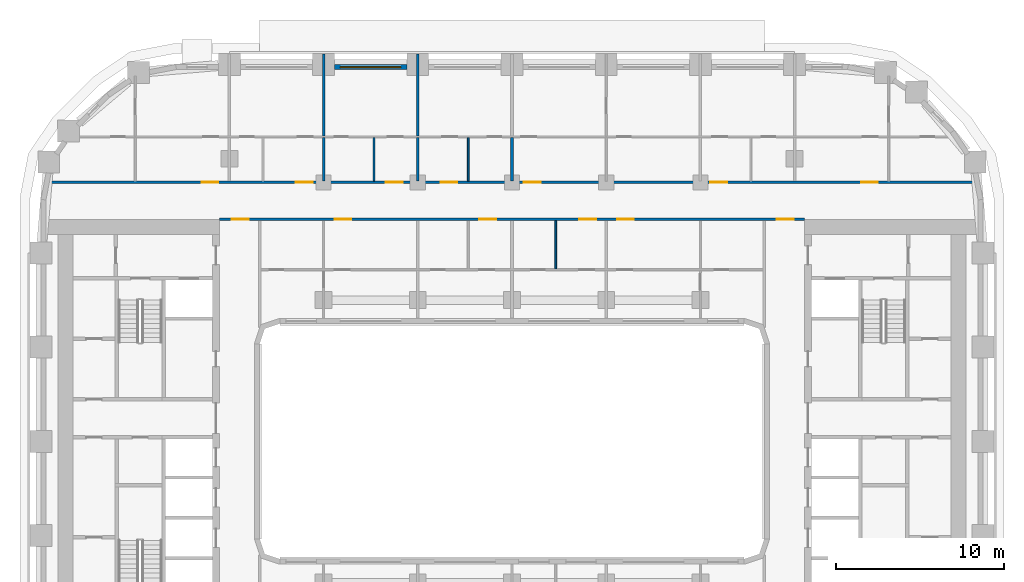
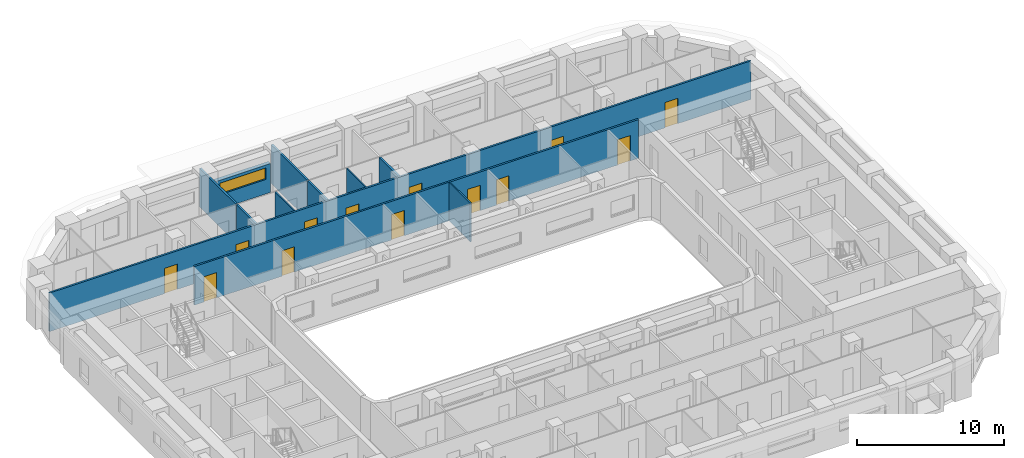
# One storey, part 8 of 22: 13 doors, 11 walls, 1 window, 14 openings.
"""IFC4 building model written with IfcOpenShell, lengths in metres."""

from ifc_helpers import new_model, si_unit, direction, frame, frame_2d, origin, place, context, subcontext, project, spatial, rectangle, extrude, material, layer, layer_set, type_object, element, fill, save


model = new_model("IFC4")

# Units and contexts
model_context = context("Model", 3, precision=1e-05, world=origin(), true_north=direction((0.0, 1.0)))
body_context = subcontext(model_context, "Body", "Model", "MODEL_VIEW")
ifc_project = project(units=[si_unit("LENGTHUNIT", "METRE"), si_unit("AREAUNIT", "SQUARE_METRE"), si_unit("VOLUMEUNIT", "CUBIC_METRE"), si_unit("PLANEANGLEUNIT", "RADIAN"), si_unit("MASSUNIT", "GRAM", prefix="KILO")], contexts=[model_context])

# Site, building, storey
site_placement = place(None, origin())
site = spatial("IfcSite", under=ifc_project, at=site_placement, CompositionType="ELEMENT")
building_placement = place(site_placement, origin())
building = spatial("IfcBuilding", under=site, at=building_placement, Name="Kiln Ring Residences", CompositionType="ELEMENT")
storey_placement = place(building_placement, frame((0.0, 0.0, 97.300048828125)))
storey = spatial("IfcBuildingStorey", under=building, at=storey_placement, Name="L24", CompositionType="ELEMENT", Elevation=97.300048828125)

# Wall, opening, window
ifc_material_1 = material(Name="Brick masonry, dark clay brick", Category="masonry")
ifc_layer_1 = layer(ifc_material_1, 0.300048828125)
ifc_layer_set_1 = layer_set([ifc_layer_1], Name="EW-300 BRICK WALL")
wall_type_1 = type_object("IfcWallType", Name="EW-300 BRICK WALL", PredefinedType="SOLIDWALL", material=ifc_layer_set_1)
wall_1_placement = place(storey_placement, frame((-6.25, 22.25, 0.0), z_axis=(0.0, 0.0, 1.0), x_axis=(-1.0, 0.0, 0.0)))
wall_1 = element("IfcWall", 1, at=wall_1_placement, inside=storey, type_object=wall_type_1, Name="Facade wall L24 33", PredefinedType="SOLIDWALL", context=body_context, shape_type="SweptSolid", body=[
    extrude(rectangle(XDim=4.300048828125, YDim=0.300048828125, at=frame_2d((2.14990234375, 0.0))), origin(), (0.0, 0.0, 1.0), 2.39990234375),
])
opening_1_placement = place(wall_1_placement, frame((0.35009765625, 0.0, 1.199951171875)))
opening_1 = element("IfcOpeningElement", 2, at=opening_1_placement, cuts=wall_1, Name="Opening W4", PredefinedType="OPENING", context=body_context, shape_type="SweptSolid", body=[
    extrude(rectangle(XDim=3.60009765625, YDim=0.949951171875, at=frame_2d((1.800048828125, 0.47509765625))), frame((0.0, 0.159912109375, 0.0), z_axis=(0.0, -1.0, 0.0), x_axis=(1.0, 0.0, 0.0)), (0.0, 0.0, 1.0), 0.320068359375),
])
ifc_material_2 = material(Name="Aluminium frame with double glazing", Category="aluminium")
window_type = type_object("IfcWindowType", Name="WINDOW 3600 x 950", PartitioningType="SINGLE_PANEL", PredefinedType="WINDOW", material=ifc_material_2)
window_placement = place(opening_1_placement, origin())
window = element("IfcWindow", 3, at=window_placement, inside=storey, type_object=window_type, Name="Window L24 18", OverallHeight=0.949951171875, OverallWidth=3.60009765625, PartitioningType="SINGLE_PANEL", PredefinedType="WINDOW", context=body_context, shape_type="SweptSolid", body=[
    extrude(rectangle(XDim=3.60009765625, YDim=0.949951171875, at=frame_2d((1.800048828125, 0.47509765625))), frame((0.0, 0.030029296875, 0.0), z_axis=(0.0, -1.0, 0.0), x_axis=(1.0, 0.0, 0.0)), (0.0, 0.0, 1.0), 0.06005859375),
])
fill(opening_1, window)

# Walls
ifc_material_3 = material(Name="Gypsum board on steel studs", Category="steel")
ifc_layer_2 = layer(ifc_material_3, 0.10009765625)
ifc_layer_set_2 = layer_set([ifc_layer_2], Name="PARTITION-100")
wall_type_2 = type_object("IfcWallType", Name="PARTITION-100", PredefinedType="PARTITIONING", material=ifc_layer_set_2)
for number, where, z_axis, x_axis, name in (
    (4, (-8.199951171875, 15.47509765625, 0.0), (0.0, 0.0, 1.0), (0.0, 1.0, 0.0), "Partition 027"),
    (5, (-2.60009765625, 15.47509765625, 0.0), (0.0, 0.0, 1.0), (0.0, 1.0, 0.0), "Partition 038"),
):
    element("IfcWall", number, at=place(storey_placement, frame(where, z_axis=z_axis, x_axis=x_axis)), inside=storey, type_object=wall_type_2, Name=name, PredefinedType="PARTITIONING", context=body_context, shape_type="SweptSolid", body=[
        extrude(rectangle(XDim=2.574951171875, YDim=0.10009765625, at=frame_2d((1.28759765625, 0.0))), origin(), (0.0, 0.0, 1.0), 3.199951171875),
    ])
wall_2_placement = place(storey_placement, frame((2.60009765625, 10.25, 0.0), z_axis=(0.0, 0.0, 1.0), x_axis=(0.0, 1.0, 0.0)))
element("IfcWall", 6, at=wall_2_placement, inside=storey, type_object=wall_type_2, Name="Partition 049", PredefinedType="PARTITIONING", context=body_context, shape_type="SweptSolid", body=[
    extrude(rectangle(XDim=2.875, YDim=0.10009765625, at=frame_2d((1.4375, 0.0))), origin(), (0.0, 0.0, 1.0), 3.199951171875),
])

# Wall, openings, doors
ifc_material_4 = material(Name="Brick masonry partition", Category="masonry")
ifc_layer_3 = layer(ifc_material_4, 0.14990234375)
ifc_layer_set_3 = layer_set([ifc_layer_3], Name="PARTITION-150-ei60")
wall_type_3 = type_object("IfcWallType", Name="PARTITION-150-ei60", PredefinedType="PARTITIONING", material=ifc_layer_set_3)
wall_3_placement = place(storey_placement, frame((-17.39990234375, 13.199951171875, 0.0), z_axis=(0.0, 0.0, 1.0), x_axis=(1.0, 0.0, 0.0)))
wall_3 = element("IfcWall", 7, at=wall_3_placement, inside=storey, type_object=wall_type_3, Name="Partition 005", PredefinedType="PARTITIONING", context=body_context, shape_type="SweptSolid", body=[
    extrude(rectangle(XDim=34.7998046875, YDim=0.14990234375, at=frame_2d((17.39990234375, 0.0))), origin(), (0.0, 0.0, 1.0), 3.199951171875),
])
opening_2_placement = place(wall_3_placement, frame((0.75, 0.0, 0.0)))
opening_2 = element("IfcOpeningElement", 8, at=opening_2_placement, cuts=wall_3, Name="Opening L24-D001", PredefinedType="OPENING", context=body_context, shape_type="SweptSolid", body=[
    extrude(rectangle(XDim=1.0, YDim=2.10009765625, at=frame_2d((0.5, 1.050048828125))), frame((0.0, 0.0849609375, 0.0), z_axis=(0.0, -1.0, 0.0), x_axis=(1.0, 0.0, 0.0)), (0.0, 0.0, 1.0), 0.169921875),
])
opening_3_placement = place(wall_3_placement, frame((33.14990234375, 0.0, 0.0)))
opening_3 = element("IfcOpeningElement", 9, at=opening_3_placement, cuts=wall_3, Name="Opening L24-D002", PredefinedType="OPENING", context=body_context, shape_type="SweptSolid", body=[
    extrude(rectangle(XDim=1.0, YDim=2.10009765625, at=frame_2d((0.5, 1.050048828125))), frame((0.0, 0.0849609375, 0.0), z_axis=(0.0, -1.0, 0.0), x_axis=(1.0, 0.0, 0.0)), (0.0, 0.0, 1.0), 0.169921875),
])
opening_4_placement = place(wall_3_placement, frame((6.85009765625, 0.0, 0.0)))
opening_4 = element("IfcOpeningElement", 10, at=opening_4_placement, cuts=wall_3, Name="Opening L24-D005", PredefinedType="OPENING", context=body_context, shape_type="SweptSolid", body=[
    extrude(rectangle(XDim=1.0, YDim=2.10009765625, at=frame_2d((0.5, 1.050048828125))), frame((0.0, 0.0849609375, 0.0), z_axis=(0.0, -1.0, 0.0), x_axis=(1.0, 0.0, 0.0)), (0.0, 0.0, 1.0), 0.169921875),
])
opening_5_placement = place(wall_3_placement, frame((15.449951171875, 0.0, 0.0)))
opening_5 = element("IfcOpeningElement", 11, at=opening_5_placement, cuts=wall_3, Name="Opening L24-D009", PredefinedType="OPENING", context=body_context, shape_type="SweptSolid", body=[
    extrude(rectangle(XDim=1.0, YDim=2.10009765625, at=frame_2d((0.5, 1.050048828125))), frame((0.0, 0.0849609375, 0.0), z_axis=(0.0, -1.0, 0.0), x_axis=(1.0, 0.0, 0.0)), (0.0, 0.0, 1.0), 0.169921875),
])
opening_6_placement = place(wall_3_placement, frame((21.39990234375, 0.0, 0.0)))
opening_6 = element("IfcOpeningElement", 12, at=opening_6_placement, cuts=wall_3, Name="Opening L24-D012", PredefinedType="OPENING", context=body_context, shape_type="SweptSolid", body=[
    extrude(rectangle(XDim=1.0, YDim=2.10009765625, at=frame_2d((0.5, 1.050048828125))), frame((0.0, 0.0849609375, 0.0), z_axis=(0.0, -1.0, 0.0), x_axis=(1.0, 0.0, 0.0)), (0.0, 0.0, 1.0), 0.169921875),
])
opening_7_placement = place(wall_3_placement, frame((23.64990234375, 0.0, 0.0)))
opening_7 = element("IfcOpeningElement", 13, at=opening_7_placement, cuts=wall_3, Name="Opening L24-D015", PredefinedType="OPENING", context=body_context, shape_type="SweptSolid", body=[
    extrude(rectangle(XDim=1.0, YDim=2.10009765625, at=frame_2d((0.5, 1.050048828125))), frame((0.0, 0.0849609375, 0.0), z_axis=(0.0, -1.0, 0.0), x_axis=(1.0, 0.0, 0.0)), (0.0, 0.0, 1.0), 0.169921875),
])
ifc_material_5 = material(Name="Steel faced fire door leaf", Category="steel")
door_type = type_object("IfcDoorType", Name="FLAT-DOOR-1000-FR", OperationType="SINGLE_SWING_LEFT", PredefinedType="DOOR", material=ifc_material_5)
door_1_placement = place(opening_2_placement, origin())
door_1 = element("IfcDoor", 14, at=door_1_placement, inside=storey, type_object=door_type, Name="Door L24-D001", OperationType="SINGLE_SWING_RIGHT", OverallHeight=2.10009765625, OverallWidth=1.0, PredefinedType="DOOR", context=body_context, shape_type="SweptSolid", body=[
    extrude(rectangle(XDim=1.0, YDim=2.10009765625, at=frame_2d((0.5, 1.050048828125))), frame((0.0, 0.02490234375, 0.0), z_axis=(0.0, -1.0, 0.0), x_axis=(1.0, 0.0, 0.0)), (0.0, 0.0, 1.0), 0.050048828125),
])
fill(opening_2, door_1)
door_2_placement = place(opening_3_placement, origin())
door_2 = element("IfcDoor", 15, at=door_2_placement, inside=storey, type_object=door_type, Name="Door L24-D002", OperationType="SINGLE_SWING_LEFT", OverallHeight=2.10009765625, OverallWidth=1.0, PredefinedType="DOOR", context=body_context, shape_type="SweptSolid", body=[
    extrude(rectangle(XDim=1.0, YDim=2.10009765625, at=frame_2d((0.5, 1.050048828125))), frame((0.0, 0.02490234375, 0.0), z_axis=(0.0, -1.0, 0.0), x_axis=(1.0, 0.0, 0.0)), (0.0, 0.0, 1.0), 0.050048828125),
])
fill(opening_3, door_2)
door_3_placement = place(opening_4_placement, origin())
door_3 = element("IfcDoor", 16, at=door_3_placement, inside=storey, type_object=door_type, Name="Door L24-D005", OperationType="SINGLE_SWING_LEFT", OverallHeight=2.10009765625, OverallWidth=1.0, PredefinedType="DOOR", context=body_context, shape_type="SweptSolid", body=[
    extrude(rectangle(XDim=1.0, YDim=2.10009765625, at=frame_2d((0.5, 1.050048828125))), frame((0.0, 0.02490234375, 0.0), z_axis=(0.0, -1.0, 0.0), x_axis=(1.0, 0.0, 0.0)), (0.0, 0.0, 1.0), 0.050048828125),
])
fill(opening_4, door_3)
door_4_placement = place(opening_5_placement, origin())
door_4 = element("IfcDoor", 17, at=door_4_placement, inside=storey, type_object=door_type, Name="Door L24-D009", OperationType="SINGLE_SWING_LEFT", OverallHeight=2.10009765625, OverallWidth=1.0, PredefinedType="DOOR", context=body_context, shape_type="SweptSolid", body=[
    extrude(rectangle(XDim=1.0, YDim=2.10009765625, at=frame_2d((0.5, 1.050048828125))), frame((0.0, 0.02490234375, 0.0), z_axis=(0.0, -1.0, 0.0), x_axis=(1.0, 0.0, 0.0)), (0.0, 0.0, 1.0), 0.050048828125),
])
fill(opening_5, door_4)
door_5_placement = place(opening_6_placement, origin())
door_5 = element("IfcDoor", 18, at=door_5_placement, inside=storey, type_object=door_type, Name="Door L24-D012", OperationType="SINGLE_SWING_RIGHT", OverallHeight=2.10009765625, OverallWidth=1.0, PredefinedType="DOOR", context=body_context, shape_type="SweptSolid", body=[
    extrude(rectangle(XDim=1.0, YDim=2.10009765625, at=frame_2d((0.5, 1.050048828125))), frame((0.0, 0.02490234375, 0.0), z_axis=(0.0, -1.0, 0.0), x_axis=(1.0, 0.0, 0.0)), (0.0, 0.0, 1.0), 0.050048828125),
])
fill(opening_6, door_5)
door_6_placement = place(opening_7_placement, origin())
door_6 = element("IfcDoor", 19, at=door_6_placement, inside=storey, type_object=door_type, Name="Door L24-D015", OperationType="SINGLE_SWING_LEFT", OverallHeight=2.10009765625, OverallWidth=1.0, PredefinedType="DOOR", context=body_context, shape_type="SweptSolid", body=[
    extrude(rectangle(XDim=1.0, YDim=2.10009765625, at=frame_2d((0.5, 1.050048828125))), frame((0.0, 0.02490234375, 0.0), z_axis=(0.0, -1.0, 0.0), x_axis=(1.0, 0.0, 0.0)), (0.0, 0.0, 1.0), 0.050048828125),
])
fill(opening_7, door_6)

wall_4_placement = place(storey_placement, frame((-27.48388671875, 15.39990234375, 0.0), z_axis=(0.0, 0.0, 1.0), x_axis=(1.0, 0.0, 0.0)))
wall_4 = element("IfcWall", 20, at=wall_4_placement, inside=storey, type_object=wall_type_3, Name="Partition 006", PredefinedType="PARTITIONING", context=body_context, shape_type="SweptSolid", body=[
    extrude(rectangle(XDim=54.9677734375, YDim=0.14990234375, at=frame_2d((27.48388671875, 0.0))), origin(), (0.0, 0.0, 1.0), 3.199951171875),
])
opening_8_placement = place(wall_4_placement, frame((9.03369140625, 0.0, 0.0)))
opening_8 = element("IfcOpeningElement", 21, at=opening_8_placement, cuts=wall_4, Name="Opening L24-D019", PredefinedType="OPENING", context=body_context, shape_type="SweptSolid", body=[
    extrude(rectangle(XDim=1.0, YDim=2.10009765625, at=frame_2d((0.5, 1.050048828125))), frame((0.0, 0.0849609375, 0.0), z_axis=(0.0, -1.0, 0.0), x_axis=(1.0, 0.0, 0.0)), (0.0, 0.0, 1.0), 0.169921875),
])
opening_9_placement = place(wall_4_placement, frame((14.6337890625, 0.0, 0.0)))
opening_9 = element("IfcOpeningElement", 22, at=opening_9_placement, cuts=wall_4, Name="Opening L24-D023", PredefinedType="OPENING", context=body_context, shape_type="SweptSolid", body=[
    extrude(rectangle(XDim=1.0, YDim=2.10009765625, at=frame_2d((0.5, 1.050048828125))), frame((0.0, 0.0849609375, 0.0), z_axis=(0.0, -1.0, 0.0), x_axis=(1.0, 0.0, 0.0)), (0.0, 0.0, 1.0), 0.169921875),
])
opening_10_placement = place(wall_4_placement, frame((19.98388671875, 0.0, 0.0)))
opening_10 = element("IfcOpeningElement", 23, at=opening_10_placement, cuts=wall_4, Name="Opening L24-D026", PredefinedType="OPENING", context=body_context, shape_type="SweptSolid", body=[
    extrude(rectangle(XDim=1.0, YDim=2.10009765625, at=frame_2d((0.5, 1.050048828125))), frame((0.0, 0.0849609375, 0.0), z_axis=(0.0, -1.0, 0.0), x_axis=(1.0, 0.0, 0.0)), (0.0, 0.0, 1.0), 0.169921875),
])
opening_11_placement = place(wall_4_placement, frame((23.23388671875, 0.0, 0.0)))
opening_11 = element("IfcOpeningElement", 24, at=opening_11_placement, cuts=wall_4, Name="Opening L24-D029", PredefinedType="OPENING", context=body_context, shape_type="SweptSolid", body=[
    extrude(rectangle(XDim=1.0, YDim=2.10009765625, at=frame_2d((0.5, 1.050048828125))), frame((0.0, 0.0849609375, 0.0), z_axis=(0.0, -1.0, 0.0), x_axis=(1.0, 0.0, 0.0)), (0.0, 0.0, 1.0), 0.169921875),
])
opening_12_placement = place(wall_4_placement, frame((28.183837890625, 0.0, 0.0)))
opening_12 = element("IfcOpeningElement", 25, at=opening_12_placement, cuts=wall_4, Name="Opening L24-D032", PredefinedType="OPENING", context=body_context, shape_type="SweptSolid", body=[
    extrude(rectangle(XDim=1.0, YDim=2.10009765625, at=frame_2d((0.5, 1.050048828125))), frame((0.0, 0.0849609375, 0.0), z_axis=(0.0, -1.0, 0.0), x_axis=(1.0, 0.0, 0.0)), (0.0, 0.0, 1.0), 0.169921875),
])
opening_13_placement = place(wall_4_placement, frame((39.28369140625, 0.0, 0.0)))
opening_13 = element("IfcOpeningElement", 26, at=opening_13_placement, cuts=wall_4, Name="Opening L24-D036", PredefinedType="OPENING", context=body_context, shape_type="SweptSolid", body=[
    extrude(rectangle(XDim=1.0, YDim=2.10009765625, at=frame_2d((0.5, 1.050048828125))), frame((0.0, 0.0849609375, 0.0), z_axis=(0.0, -1.0, 0.0), x_axis=(1.0, 0.0, 0.0)), (0.0, 0.0, 1.0), 0.169921875),
])
opening_14_placement = place(wall_4_placement, frame((48.23388671875, 0.0, 0.0)))
opening_14 = element("IfcOpeningElement", 27, at=opening_14_placement, cuts=wall_4, Name="Opening L24-D039", PredefinedType="OPENING", context=body_context, shape_type="SweptSolid", body=[
    extrude(rectangle(XDim=1.0, YDim=2.10009765625, at=frame_2d((0.5, 1.050048828125))), frame((0.0, 0.0849609375, 0.0), z_axis=(0.0, -1.0, 0.0), x_axis=(1.0, 0.0, 0.0)), (0.0, 0.0, 1.0), 0.169921875),
])
door_7_placement = place(opening_8_placement, origin())
door_7 = element("IfcDoor", 28, at=door_7_placement, inside=storey, type_object=door_type, Name="Door L24-D019", OperationType="SINGLE_SWING_LEFT", OverallHeight=2.10009765625, OverallWidth=1.0, PredefinedType="DOOR", context=body_context, shape_type="SweptSolid", body=[
    extrude(rectangle(XDim=1.0, YDim=2.10009765625, at=frame_2d((0.5, 1.050048828125))), frame((0.0, 0.02490234375, 0.0), z_axis=(0.0, -1.0, 0.0), x_axis=(1.0, 0.0, 0.0)), (0.0, 0.0, 1.0), 0.050048828125),
])
fill(opening_8, door_7)
door_8_placement = place(opening_9_placement, origin())
door_8 = element("IfcDoor", 29, at=door_8_placement, inside=storey, type_object=door_type, Name="Door L24-D023", OperationType="SINGLE_SWING_LEFT", OverallHeight=2.10009765625, OverallWidth=1.0, PredefinedType="DOOR", context=body_context, shape_type="SweptSolid", body=[
    extrude(rectangle(XDim=1.0, YDim=2.10009765625, at=frame_2d((0.5, 1.050048828125))), frame((0.0, 0.02490234375, 0.0), z_axis=(0.0, -1.0, 0.0), x_axis=(1.0, 0.0, 0.0)), (0.0, 0.0, 1.0), 0.050048828125),
])
fill(opening_9, door_8)
door_9_placement = place(opening_10_placement, origin())
door_9 = element("IfcDoor", 30, at=door_9_placement, inside=storey, type_object=door_type, Name="Door L24-D026", OperationType="SINGLE_SWING_RIGHT", OverallHeight=2.10009765625, OverallWidth=1.0, PredefinedType="DOOR", context=body_context, shape_type="SweptSolid", body=[
    extrude(rectangle(XDim=1.0, YDim=2.10009765625, at=frame_2d((0.5, 1.050048828125))), frame((0.0, 0.02490234375, 0.0), z_axis=(0.0, -1.0, 0.0), x_axis=(1.0, 0.0, 0.0)), (0.0, 0.0, 1.0), 0.050048828125),
])
fill(opening_10, door_9)
door_10_placement = place(opening_11_placement, origin())
door_10 = element("IfcDoor", 31, at=door_10_placement, inside=storey, type_object=door_type, Name="Door L24-D029", OperationType="SINGLE_SWING_LEFT", OverallHeight=2.10009765625, OverallWidth=1.0, PredefinedType="DOOR", context=body_context, shape_type="SweptSolid", body=[
    extrude(rectangle(XDim=1.0, YDim=2.10009765625, at=frame_2d((0.5, 1.050048828125))), frame((0.0, 0.02490234375, 0.0), z_axis=(0.0, -1.0, 0.0), x_axis=(1.0, 0.0, 0.0)), (0.0, 0.0, 1.0), 0.050048828125),
])
fill(opening_11, door_10)
door_11_placement = place(opening_12_placement, origin())
door_11 = element("IfcDoor", 32, at=door_11_placement, inside=storey, type_object=door_type, Name="Door L24-D032", OperationType="SINGLE_SWING_RIGHT", OverallHeight=2.10009765625, OverallWidth=1.0, PredefinedType="DOOR", context=body_context, shape_type="SweptSolid", body=[
    extrude(rectangle(XDim=1.0, YDim=2.10009765625, at=frame_2d((0.5, 1.050048828125))), frame((0.0, 0.02490234375, 0.0), z_axis=(0.0, -1.0, 0.0), x_axis=(1.0, 0.0, 0.0)), (0.0, 0.0, 1.0), 0.050048828125),
])
fill(opening_12, door_11)
door_12_placement = place(opening_13_placement, origin())
door_12 = element("IfcDoor", 33, at=door_12_placement, inside=storey, type_object=door_type, Name="Door L24-D036", OperationType="SINGLE_SWING_RIGHT", OverallHeight=2.10009765625, OverallWidth=1.0, PredefinedType="DOOR", context=body_context, shape_type="SweptSolid", body=[
    extrude(rectangle(XDim=1.0, YDim=2.10009765625, at=frame_2d((0.5, 1.050048828125))), frame((0.0, 0.02490234375, 0.0), z_axis=(0.0, -1.0, 0.0), x_axis=(1.0, 0.0, 0.0)), (0.0, 0.0, 1.0), 0.050048828125),
])
fill(opening_13, door_12)
door_13_placement = place(opening_14_placement, origin())
door_13 = element("IfcDoor", 34, at=door_13_placement, inside=storey, type_object=door_type, Name="Door L24-D039", OperationType="SINGLE_SWING_LEFT", OverallHeight=2.10009765625, OverallWidth=1.0, PredefinedType="DOOR", context=body_context, shape_type="SweptSolid", body=[
    extrude(rectangle(XDim=1.0, YDim=2.10009765625, at=frame_2d((0.5, 1.050048828125))), frame((0.0, 0.02490234375, 0.0), z_axis=(0.0, -1.0, 0.0), x_axis=(1.0, 0.0, 0.0)), (0.0, 0.0, 1.0), 0.050048828125),
])
fill(opening_14, door_13)

# Walls
wall_5_placement = place(storey_placement, frame((-11.199951171875, 15.47509765625, 0.0), z_axis=(0.0, 0.0, 1.0), x_axis=(0.0, 1.0, 0.0)))
element("IfcWall", 35, at=wall_5_placement, inside=storey, type_object=wall_type_3, Name="Partition 025", PredefinedType="PARTITIONING", context=body_context, shape_type="SweptSolid", body=[
    extrude(rectangle(XDim=2.574951171875, YDim=0.14990234375, at=frame_2d((1.28759765625, 0.0))), origin(), (0.0, 0.0, 1.0), 3.199951171875),
])
wall_6_placement = place(storey_placement, frame((-11.199951171875, 18.14990234375, 0.0), z_axis=(0.0, 0.0, 1.0), x_axis=(0.0, 1.0, 0.0)))
element("IfcWall", 36, at=wall_6_placement, inside=storey, type_object=wall_type_3, Name="Partition 026", PredefinedType="PARTITIONING", context=body_context, shape_type="SweptSolid", body=[
    extrude(rectangle(XDim=4.880126953125, YDim=0.14990234375, at=frame_2d((2.43994140625, 0.0))), origin(), (0.0, 0.0, 1.0), 3.199951171875),
])
wall_7_placement = place(storey_placement, frame((-5.60009765625, 15.47509765625, 0.0), z_axis=(0.0, 0.0, 1.0), x_axis=(0.0, 1.0, 0.0)))
element("IfcWall", 37, at=wall_7_placement, inside=storey, type_object=wall_type_3, Name="Partition 034", PredefinedType="PARTITIONING", context=body_context, shape_type="SweptSolid", body=[
    extrude(rectangle(XDim=2.574951171875, YDim=0.14990234375, at=frame_2d((1.28759765625, 0.0))), origin(), (0.0, 0.0, 1.0), 3.199951171875),
])
wall_8_placement = place(storey_placement, frame((-5.60009765625, 18.14990234375, 0.0), z_axis=(0.0, 0.0, 1.0), x_axis=(0.0, 1.0, 0.0)))
element("IfcWall", 38, at=wall_8_placement, inside=storey, type_object=wall_type_3, Name="Partition 035", PredefinedType="PARTITIONING", context=body_context, shape_type="SweptSolid", body=[
    extrude(rectangle(XDim=4.880126953125, YDim=0.14990234375, at=frame_2d((2.43994140625, 0.0))), origin(), (0.0, 0.0, 1.0), 3.199951171875),
])
wall_9_placement = place(storey_placement, frame((0.0, 15.47509765625, 0.0), z_axis=(0.0, 0.0, 1.0), x_axis=(0.0, 1.0, 0.0)))
element("IfcWall", 39, at=wall_9_placement, inside=storey, type_object=wall_type_3, Name="Partition 046", PredefinedType="PARTITIONING", context=body_context, shape_type="SweptSolid", body=[
    extrude(rectangle(XDim=2.574951171875, YDim=0.14990234375, at=frame_2d((1.28759765625, 0.0))), origin(), (0.0, 0.0, 1.0), 3.199951171875),
])

save(model, "model.ifc")
